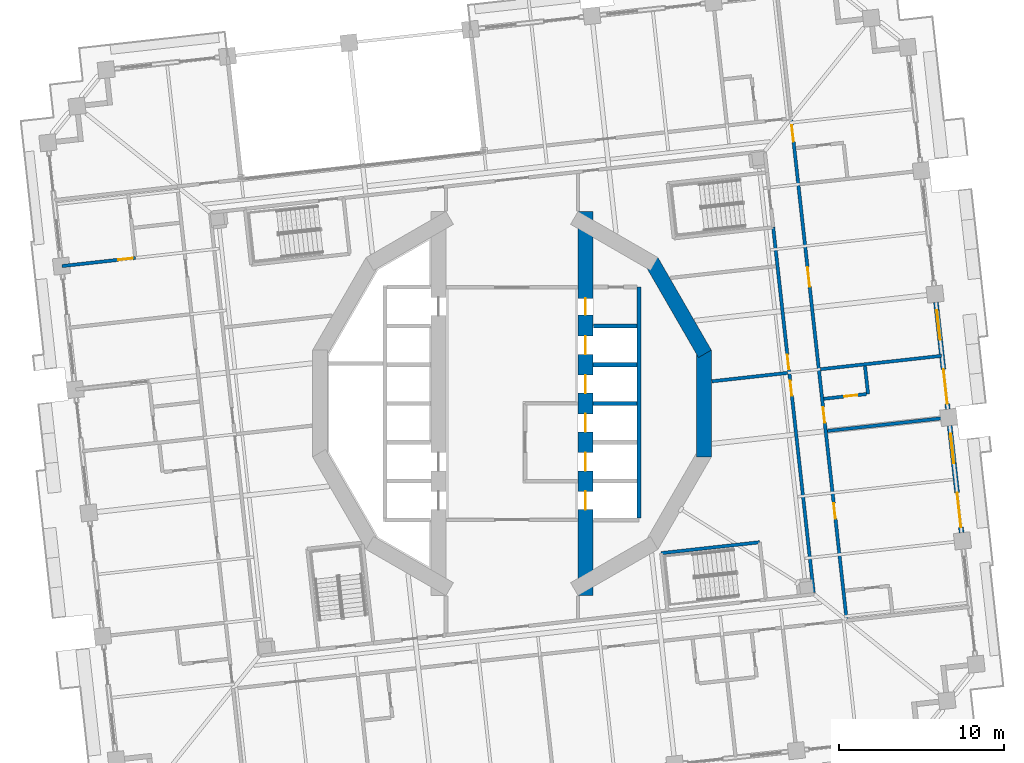
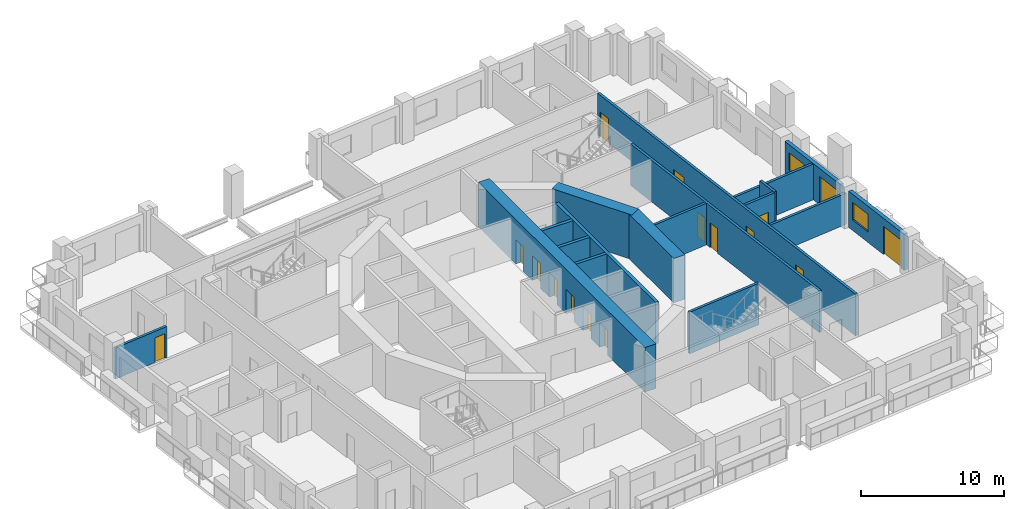
# One storey, part 10 of 21: 18 walls, 16 doors, 2 windows, 18 openings.
"""IFC4 building model written with IfcOpenShell, lengths in metres."""

from ifc_helpers import new_model, si_unit, direction, frame, frame_2d, origin, place, context, subcontext, project, spatial, rectangle, extrude, material, layer, layer_set, type_object, element, fill, save


model = new_model("IFC4")

# Units and contexts
model_context = context("Model", 3, precision=1e-05, world=origin(), true_north=direction((0.0, 1.0)))
body_context = subcontext(model_context, "Body", "Model", "MODEL_VIEW")
ifc_project = project(units=[si_unit("LENGTHUNIT", "METRE"), si_unit("AREAUNIT", "SQUARE_METRE"), si_unit("VOLUMEUNIT", "CUBIC_METRE"), si_unit("PLANEANGLEUNIT", "RADIAN"), si_unit("MASSUNIT", "GRAM", prefix="KILO")], contexts=[model_context])

# Site, building, storey
site_placement = place(None, origin())
site = spatial("IfcSite", under=ifc_project, at=site_placement, CompositionType="ELEMENT")
building_placement = place(site_placement, origin())
building = spatial("IfcBuilding", under=site, at=building_placement, Name="Cantera Rosa Tower", CompositionType="ELEMENT")
storey_placement = place(building_placement, frame((0.0, 0.0, 57.699951171875)))
storey = spatial("IfcBuildingStorey", under=building, at=storey_placement, Name="L11", CompositionType="ELEMENT", Elevation=57.699951171875)

# Wall, openings, doors
ifc_material_1 = material(Name="Gypsum board partition")
ifc_layer_1 = layer(ifc_material_1, 0.199951171875)
ifc_layer_set_1 = layer_set([ifc_layer_1], Name="CORRIDOR WALL 200 H3550")
wall_type_1 = type_object("IfcWallType", Name="CORRIDOR WALL 200 H3550", PredefinedType="PARTITIONING", material=ifc_layer_set_1)
wall_1_placement = place(storey_placement, frame((18.27490234375, -11.453857421875, 0.0), z_axis=(0.0, 0.0, 1.0), x_axis=(-0.110303935969, 0.993897903061, 0.0)))
wall_1 = element("IfcWall", 1, at=wall_1_placement, inside=storey, type_object=wall_type_1, Name="CORRIDOR WALL L11-100", PredefinedType="PARTITIONING", context=body_context, shape_type="SweptSolid", body=[
    extrude(rectangle(XDim=22.26171875, YDim=0.199951171875, at=frame_2d((11.130859375, 0.0))), origin(), (0.0, 0.0, 1.0), 3.550048828125),
])
opening_1_placement = place(wall_1_placement, frame((13.60009765625, 0.0, 0.0)))
opening_1 = element("IfcOpeningElement", 2, at=opening_1_placement, cuts=wall_1, Name="Opening L11-005", PredefinedType="OPENING", context=body_context, shape_type="SweptSolid", body=[
    extrude(rectangle(XDim=0.89990234375, YDim=2.10009765625, at=frame_2d((0.449951171875, 1.050048828125))), frame((0.0, 0.10986328125, 0.0), z_axis=(0.0, -1.0, 0.0), x_axis=(1.0, 0.0, 0.0)), (0.0, 0.0, 1.0), 0.219970703125),
])
opening_2_placement = place(wall_1_placement, frame((12.0048828125, 0.0, 0.0)))
opening_2 = element("IfcOpeningElement", 3, at=opening_2_placement, cuts=wall_1, Name="Opening L11-011", PredefinedType="OPENING", context=body_context, shape_type="SweptSolid", body=[
    extrude(rectangle(XDim=0.89990234375, YDim=2.10009765625, at=frame_2d((0.449951171875, 1.050048828125))), frame((0.0, 0.10986328125, 0.0), z_axis=(0.0, -1.0, 0.0), x_axis=(1.0, 0.0, 0.0)), (0.0, 0.0, 1.0), 0.219970703125),
])
ifc_material_2 = material(Name="Timber door leaf", Category="wood")
door_type_1 = type_object("IfcDoorType", Name="SERVICE DOOR 900x2100", OperationType="NOTDEFINED", PredefinedType="DOOR", material=ifc_material_2)
door_1_placement = place(opening_1_placement, origin())
door_1 = element("IfcDoor", 4, at=door_1_placement, inside=storey, type_object=door_type_1, Name="DOOR L11-005", OperationType="NOTDEFINED", OverallHeight=2.10009765625, OverallWidth=0.89990234375, PredefinedType="DOOR", context=body_context, shape_type="SweptSolid", body=[
    extrude(rectangle(XDim=0.89990234375, YDim=2.10009765625, at=frame_2d((0.449951171875, 1.050048828125))), frame((0.0, 0.02490234375, 0.0), z_axis=(0.0, -1.0, 0.0), x_axis=(1.0, 0.0, 0.0)), (0.0, 0.0, 1.0), 0.050048828125),
])
fill(opening_1, door_1)
door_2_placement = place(opening_2_placement, origin())
door_2 = element("IfcDoor", 5, at=door_2_placement, inside=storey, type_object=door_type_1, Name="DOOR L11-011", OperationType="NOTDEFINED", OverallHeight=2.10009765625, OverallWidth=0.89990234375, PredefinedType="DOOR", context=body_context, shape_type="SweptSolid", body=[
    extrude(rectangle(XDim=0.89990234375, YDim=2.10009765625, at=frame_2d((0.449951171875, 1.050048828125))), frame((0.0, 0.02490234375, 0.0), z_axis=(0.0, -1.0, 0.0), x_axis=(1.0, 0.0, 0.0)), (0.0, 0.0, 1.0), 0.050048828125),
])
fill(opening_2, door_2)

wall_2_placement = place(storey_placement, frame((20.2626953125, -13.04443359375, 0.0), z_axis=(0.0, 0.0, 1.0), x_axis=(-0.110312530755, 0.993896949164, 0.0)))
wall_2 = element("IfcWall", 6, at=wall_2_placement, inside=storey, type_object=wall_type_1, Name="CORRIDOR WALL L11-105", PredefinedType="PARTITIONING", context=body_context, shape_type="SweptSolid", body=[
    extrude(rectangle(XDim=30.400146484375, YDim=0.199951171875, at=frame_2d((15.2001953125, 0.0))), origin(), (0.0, 0.0, 1.0), 3.550048828125),
])
opening_3_placement = place(wall_2_placement, frame((20.239990234375, 0.0, 0.0)))
opening_3 = element("IfcOpeningElement", 7, at=opening_3_placement, cuts=wall_2, Name="Opening L11-018", PredefinedType="OPENING", context=body_context, shape_type="SweptSolid", body=[
    extrude(rectangle(XDim=1.199951171875, YDim=2.10009765625, at=frame_2d((0.60009765625, 1.050048828125))), frame((0.0, 0.10986328125, 0.0), z_axis=(0.0, -1.0, 0.0), x_axis=(1.0, 0.0, 0.0)), (0.0, 0.0, 1.0), 0.219970703125),
])
opening_4_placement = place(wall_2_placement, frame((6.094970703125, 0.0, 0.0)))
opening_4 = element("IfcOpeningElement", 8, at=opening_4_placement, cuts=wall_2, Name="Opening L11-019", PredefinedType="OPENING", context=body_context, shape_type="SweptSolid", body=[
    extrude(rectangle(XDim=0.949951171875, YDim=2.10009765625, at=frame_2d((0.47509765625, 1.050048828125))), frame((0.0, 0.10986328125, 0.0), z_axis=(0.0, -1.0, 0.0), x_axis=(1.0, 0.0, 0.0)), (0.0, 0.0, 1.0), 0.219970703125),
])
opening_5_placement = place(wall_2_placement, frame((11.945068359375, 0.0, 0.0)))
opening_5 = element("IfcOpeningElement", 9, at=opening_5_placement, cuts=wall_2, Name="Opening L11-021", PredefinedType="OPENING", context=body_context, shape_type="SweptSolid", body=[
    extrude(rectangle(XDim=0.949951171875, YDim=2.10009765625, at=frame_2d((0.47509765625, 1.050048828125))), frame((0.0, 0.10986328125, 0.0), z_axis=(0.0, -1.0, 0.0), x_axis=(1.0, 0.0, 0.0)), (0.0, 0.0, 1.0), 0.219970703125),
])
opening_6_placement = place(wall_2_placement, frame((29.090087890625, 0.0, 0.0)))
opening_6 = element("IfcOpeningElement", 10, at=opening_6_placement, cuts=wall_2, Name="Opening L11-023", PredefinedType="OPENING", context=body_context, shape_type="SweptSolid", body=[
    extrude(rectangle(XDim=1.0, YDim=2.10009765625, at=frame_2d((0.5, 1.050048828125))), frame((0.0, 0.10986328125, 0.0), z_axis=(0.0, -1.0, 0.0), x_axis=(1.0, 0.0, 0.0)), (0.0, 0.0, 1.0), 0.219970703125),
])
ifc_material_3 = material(Name="Timber door leaf", Category="wood")
door_type_2 = type_object("IfcDoorType", Name="ENTRANCE DOOR 1000x2100", OperationType="NOTDEFINED", PredefinedType="DOOR", material=ifc_material_3)
door_3_placement = place(opening_6_placement, origin())
door_3 = element("IfcDoor", 11, at=door_3_placement, inside=storey, type_object=door_type_2, Name="DOOR L11-023", OperationType="NOTDEFINED", OverallHeight=2.10009765625, OverallWidth=1.0, PredefinedType="DOOR", context=body_context, shape_type="SweptSolid", body=[
    extrude(rectangle(XDim=1.0, YDim=2.10009765625, at=frame_2d((0.5, 1.050048828125))), frame((0.0, 0.02490234375, 0.0), z_axis=(0.0, -1.0, 0.0), x_axis=(1.0, 0.0, 0.0)), (0.0, 0.0, 1.0), 0.050048828125),
])
fill(opening_6, door_3)
ifc_material_4 = material(Name="Timber door leaf", Category="wood")
door_type_3 = type_object("IfcDoorType", Name="ROOM DOOR 1200x2100", OperationType="NOTDEFINED", PredefinedType="DOOR", material=ifc_material_4)
door_4_placement = place(opening_3_placement, origin())
door_4 = element("IfcDoor", 12, at=door_4_placement, inside=storey, type_object=door_type_3, Name="DOOR L11-018", OperationType="NOTDEFINED", OverallHeight=2.10009765625, OverallWidth=1.199951171875, PredefinedType="DOOR", context=body_context, shape_type="SweptSolid", body=[
    extrude(rectangle(XDim=1.199951171875, YDim=2.10009765625, at=frame_2d((0.60009765625, 1.050048828125))), frame((0.0, 0.02490234375, 0.0), z_axis=(0.0, -1.0, 0.0), x_axis=(1.0, 0.0, 0.0)), (0.0, 0.0, 1.0), 0.050048828125),
])
fill(opening_3, door_4)
ifc_material_5 = material(Name="Timber door leaf", Category="wood")
door_type_4 = type_object("IfcDoorType", Name="ROOM DOOR 950x2100", OperationType="NOTDEFINED", PredefinedType="DOOR", material=ifc_material_5)
door_5_placement = place(opening_4_placement, origin())
door_5 = element("IfcDoor", 13, at=door_5_placement, inside=storey, type_object=door_type_4, Name="DOOR L11-019", OperationType="NOTDEFINED", OverallHeight=2.10009765625, OverallWidth=0.949951171875, PredefinedType="DOOR", context=body_context, shape_type="SweptSolid", body=[
    extrude(rectangle(XDim=0.949951171875, YDim=2.10009765625, at=frame_2d((0.47509765625, 1.050048828125))), frame((0.0, 0.02490234375, 0.0), z_axis=(0.0, -1.0, 0.0), x_axis=(1.0, 0.0, 0.0)), (0.0, 0.0, 1.0), 0.050048828125),
])
fill(opening_4, door_5)
door_6_placement = place(opening_5_placement, origin())
door_6 = element("IfcDoor", 14, at=door_6_placement, inside=storey, type_object=door_type_4, Name="DOOR L11-021", OperationType="NOTDEFINED", OverallHeight=2.10009765625, OverallWidth=0.949951171875, PredefinedType="DOOR", context=body_context, shape_type="SweptSolid", body=[
    extrude(rectangle(XDim=0.949951171875, YDim=2.10009765625, at=frame_2d((0.47509765625, 1.050048828125))), frame((0.0, 0.02490234375, 0.0), z_axis=(0.0, -1.0, 0.0), x_axis=(1.0, 0.0, 0.0)), (0.0, 0.0, 1.0), 0.050048828125),
])
fill(opening_5, door_6)

# Wall, openings, window, door
ifc_material_6 = material(Name="Hollow clay masonry with cantera stone cladding", Category="masonry")
ifc_layer_2 = layer(ifc_material_6, 0.300048828125)
ifc_layer_set_2 = layer_set([ifc_layer_2], Name="EW-LOGGIA 300 H3090")
wall_type_2 = type_object("IfcWallType", Name="EW-LOGGIA 300 H3090", PredefinedType="SOLIDWALL", material=ifc_layer_set_2)
wall_3_placement = place(storey_placement, frame((27.229248046875, -7.823974609375, 0.0), z_axis=(0.0, 0.0, 1.0), x_axis=(-0.110312341265, 0.993896970196, 0.0)))
wall_3 = element("IfcWall", 15, at=wall_3_placement, inside=storey, type_object=wall_type_2, Name="EN-L11-W02", PredefinedType="SOLIDWALL", context=body_context, shape_type="SweptSolid", body=[
    extrude(rectangle(XDim=6.52001953125, YDim=0.300048828125, at=frame_2d((3.260009765625, 0.0))), origin(), (0.0, 0.0, 1.0), 3.090087890625),
])
opening_7_placement = place(wall_3_placement, frame((0.330078125, 0.0, 0.0)))
opening_7 = element("IfcOpeningElement", 16, at=opening_7_placement, cuts=wall_3, Name="Opening L11-TD03", PredefinedType="OPENING", context=body_context, shape_type="SweptSolid", body=[
    extrude(rectangle(XDim=2.10009765625, YDim=2.39990234375, at=frame_2d((1.050048828125, 1.199951171875))), frame((0.0, 0.159912109375, 0.0), z_axis=(0.0, -1.0, 0.0), x_axis=(1.0, 0.0, 0.0)), (0.0, 0.0, 1.0), 0.320068359375),
])
opening_8_placement = place(wall_3_placement, frame((4.239990234375, 0.0, 0.89990234375)))
opening_8 = element("IfcOpeningElement", 17, at=opening_8_placement, cuts=wall_3, Name="Opening L11-W04", PredefinedType="OPENING", context=body_context, shape_type="SweptSolid", body=[
    extrude(rectangle(XDim=1.800048828125, YDim=1.5, at=frame_2d((0.89990234375, 0.75))), frame((0.0, 0.159912109375, 0.0), z_axis=(0.0, -1.0, 0.0), x_axis=(1.0, 0.0, 0.0)), (0.0, 0.0, 1.0), 0.320068359375),
])
ifc_material_7 = material(Name="Aluminium frame with clear glass", Category="aluminium")
window_type = type_object("IfcWindowType", Name="Hotel room window 1800x1500", PartitioningType="DOUBLE_PANEL_VERTICAL", PredefinedType="WINDOW", material=ifc_material_7)
window_1_placement = place(opening_8_placement, origin())
window_1 = element("IfcWindow", 18, at=window_1_placement, inside=storey, type_object=window_type, Name="WINDOW L11-W04", OverallHeight=1.5, OverallWidth=1.800048828125, PartitioningType="SINGLE_PANEL", PredefinedType="WINDOW", context=body_context, shape_type="SweptSolid", body=[
    extrude(rectangle(XDim=1.800048828125, YDim=1.5, at=frame_2d((0.89990234375, 0.75))), frame((0.0, 0.030029296875, 0.0), z_axis=(0.0, -1.0, 0.0), x_axis=(1.0, 0.0, 0.0)), (0.0, 0.0, 1.0), 0.06005859375),
])
fill(opening_8, window_1)
ifc_material_8 = material(Name="Aluminium frame with clear glass", Category="aluminium")
door_type_5 = type_object("IfcDoorType", Name="TD-H 2100x2400", OperationType="NOTDEFINED", PredefinedType="DOOR", material=ifc_material_8)
door_7_placement = place(opening_7_placement, origin())
door_7 = element("IfcDoor", 19, at=door_7_placement, inside=storey, type_object=door_type_5, Name="LOGGIA DOOR L11-TD03", OperationType="SLIDING_TO_LEFT", OverallHeight=2.39990234375, OverallWidth=2.10009765625, PredefinedType="DOOR", context=body_context, shape_type="SweptSolid", body=[
    extrude(rectangle(XDim=2.10009765625, YDim=2.39990234375, at=frame_2d((1.050048828125, 1.199951171875))), frame((0.0, 0.02490234375, 0.0), z_axis=(0.0, -1.0, 0.0), x_axis=(1.0, 0.0, 0.0)), (0.0, 0.0, 1.0), 0.050048828125),
])
fill(opening_7, door_7)

wall_4_placement = place(storey_placement, frame((26.399658203125, -0.349853515625, 0.0), z_axis=(0.0, 0.0, 1.0), x_axis=(-0.110312341265, 0.993896970196, 0.0)))
wall_4 = element("IfcWall", 20, at=wall_4_placement, inside=storey, type_object=wall_type_2, Name="EN-L11-W03", PredefinedType="SOLIDWALL", context=body_context, shape_type="SweptSolid", body=[
    extrude(rectangle(XDim=6.52001953125, YDim=0.300048828125, at=frame_2d((3.260009765625, 0.0))), origin(), (0.0, 0.0, 1.0), 3.090087890625),
])
opening_9_placement = place(wall_4_placement, frame((0.330078125, 0.0, 0.0)))
opening_9 = element("IfcOpeningElement", 21, at=opening_9_placement, cuts=wall_4, Name="Opening L11-TD05", PredefinedType="OPENING", context=body_context, shape_type="SweptSolid", body=[
    extrude(rectangle(XDim=2.10009765625, YDim=2.39990234375, at=frame_2d((1.050048828125, 1.199951171875))), frame((0.0, 0.159912109375, 0.0), z_axis=(0.0, -1.0, 0.0), x_axis=(1.0, 0.0, 0.0)), (0.0, 0.0, 1.0), 0.320068359375),
])
opening_10_placement = place(wall_4_placement, frame((4.239990234375, 0.0, 0.89990234375)))
opening_10 = element("IfcOpeningElement", 22, at=opening_10_placement, cuts=wall_4, Name="Opening L11-W06", PredefinedType="OPENING", context=body_context, shape_type="SweptSolid", body=[
    extrude(rectangle(XDim=1.800048828125, YDim=1.5, at=frame_2d((0.89990234375, 0.75))), frame((0.0, 0.159912109375, 0.0), z_axis=(0.0, -1.0, 0.0), x_axis=(1.0, 0.0, 0.0)), (0.0, 0.0, 1.0), 0.320068359375),
])
window_2_placement = place(opening_10_placement, origin())
window_2 = element("IfcWindow", 23, at=window_2_placement, inside=storey, type_object=window_type, Name="WINDOW L11-W06", OverallHeight=1.5, OverallWidth=1.800048828125, PartitioningType="SINGLE_PANEL", PredefinedType="WINDOW", context=body_context, shape_type="SweptSolid", body=[
    extrude(rectangle(XDim=1.800048828125, YDim=1.5, at=frame_2d((0.89990234375, 0.75))), frame((0.0, 0.030029296875, 0.0), z_axis=(0.0, -1.0, 0.0), x_axis=(1.0, 0.0, 0.0)), (0.0, 0.0, 1.0), 0.06005859375),
])
fill(opening_10, window_2)
door_8_placement = place(opening_9_placement, origin())
door_8 = element("IfcDoor", 24, at=door_8_placement, inside=storey, type_object=door_type_5, Name="LOGGIA DOOR L11-TD05", OperationType="SLIDING_TO_LEFT", OverallHeight=2.39990234375, OverallWidth=2.10009765625, PredefinedType="DOOR", context=body_context, shape_type="SweptSolid", body=[
    extrude(rectangle(XDim=2.10009765625, YDim=2.39990234375, at=frame_2d((1.050048828125, 1.199951171875))), frame((0.0, 0.02490234375, 0.0), z_axis=(0.0, -1.0, 0.0), x_axis=(1.0, 0.0, 0.0)), (0.0, 0.0, 1.0), 0.050048828125),
])
fill(opening_9, door_8)

# Wall, opening, door
ifc_material_9 = material(Name="Gypsum board partition")
ifc_layer_3 = layer(ifc_material_9, 0.199951171875)
ifc_layer_set_3 = layer_set([ifc_layer_3], Name="PARTITION 200 H2650")
wall_type_3 = type_object("IfcWallType", Name="PARTITION 200 H2650", PredefinedType="PARTITIONING", material=ifc_layer_set_3)
wall_5_placement = place(storey_placement, frame((-22.81201171875, 8.8173828125, 0.0), z_axis=(0.0, 0.0, 1.0), x_axis=(-0.993895052822, -0.11032961514, 0.0)))
wall_5 = element("IfcWall", 25, at=wall_5_placement, inside=storey, type_object=wall_type_3, Name="PARTITION L11-003", PredefinedType="PARTITIONING", context=body_context, shape_type="SweptSolid", body=[
    extrude(rectangle(XDim=4.469970703125, YDim=0.199951171875, at=frame_2d((2.23486328125, 0.0))), origin(), (0.0, 0.0, 1.0), 2.650146484375),
])
opening_11_placement = place(wall_5_placement, frame((0.14990234375, 0.0, 0.0)))
opening_11 = element("IfcOpeningElement", 26, at=opening_11_placement, cuts=wall_5, Name="Opening L11-030", PredefinedType="OPENING", context=body_context, shape_type="SweptSolid", body=[
    extrude(rectangle(XDim=0.89990234375, YDim=2.10009765625, at=frame_2d((0.449951171875, 1.050048828125))), frame((0.0, 0.10986328125, 0.0), z_axis=(0.0, -1.0, 0.0), x_axis=(1.0, 0.0, 0.0)), (0.0, 0.0, 1.0), 0.219970703125),
])
ifc_material_10 = material(Name="Timber door leaf", Category="wood")
door_type_6 = type_object("IfcDoorType", Name="ROOM DOOR 900x2100", OperationType="NOTDEFINED", PredefinedType="DOOR", material=ifc_material_10)
door_9_placement = place(opening_11_placement, origin())
door_9 = element("IfcDoor", 27, at=door_9_placement, inside=storey, type_object=door_type_6, Name="DOOR L11-030", OperationType="NOTDEFINED", OverallHeight=2.10009765625, OverallWidth=0.89990234375, PredefinedType="DOOR", context=body_context, shape_type="SweptSolid", body=[
    extrude(rectangle(XDim=0.89990234375, YDim=2.10009765625, at=frame_2d((0.449951171875, 1.050048828125))), frame((0.0, 0.02490234375, 0.0), z_axis=(0.0, -1.0, 0.0), x_axis=(1.0, 0.0, 0.0)), (0.0, 0.0, 1.0), 0.050048828125),
])
fill(opening_11, door_9)

# Walls
ifc_material_11 = material(Name="Gypsum board partition")
ifc_layer_4 = layer(ifc_material_11, 0.199951171875)
ifc_layer_set_4 = layer_set([ifc_layer_4], Name="PARTITION 200 H3550")
wall_type_4 = type_object("IfcWallType", Name="PARTITION 200 H3550", PredefinedType="PARTITIONING", material=ifc_layer_set_4)
wall_6_placement = place(storey_placement, frame((16.697509765625, 1.853271484375, 0.0), z_axis=(0.0, 0.0, 1.0), x_axis=(-0.993898542439, -0.11029817468, 0.0)))
element("IfcWall", 28, at=wall_6_placement, inside=storey, type_object=wall_type_4, Name="PARTITION L11-091", PredefinedType="PARTITIONING", context=body_context, shape_type="SweptSolid", body=[
    extrude(rectangle(XDim=4.621826171875, YDim=0.199951171875, at=frame_2d((2.31103515625, 0.0))), origin(), (0.0, 0.0, 1.0), 3.550048828125),
])
wall_7_placement = place(storey_placement, frame((21.3798828125, 2.272216796875, 0.0), z_axis=(0.0, 0.0, 1.0), x_axis=(0.110305413813, -0.993897739047, 0.0)))
element("IfcWall", 29, at=wall_7_placement, inside=storey, type_object=wall_type_4, Name="PARTITION L11-106", PredefinedType="PARTITIONING", context=body_context, shape_type="SweptSolid", body=[
    extrude(rectangle(XDim=1.69970703125, YDim=0.199951171875, at=frame_2d((0.849853515625, 0.0))), origin(), (0.0, 0.0, 1.0), 3.550048828125),
])

# Wall, opening, door
wall_8_placement = place(storey_placement, frame((21.468017578125, 0.57177734375, 0.0), z_axis=(0.0, 0.0, 1.0), x_axis=(-0.993895180132, -0.110328468272, 0.0)))
wall_8 = element("IfcWall", 30, at=wall_8_placement, inside=storey, type_object=wall_type_4, Name="PARTITION L11-107", PredefinedType="PARTITIONING", context=body_context, shape_type="SweptSolid", body=[
    extrude(rectangle(XDim=2.60009765625, YDim=0.199951171875, at=frame_2d((1.300048828125, 0.0))), origin(), (0.0, 0.0, 1.0), 3.550048828125),
])
opening_12_placement = place(wall_8_placement, frame((0.56396484375, 0.0, 0.0)))
opening_12 = element("IfcOpeningElement", 31, at=opening_12_placement, cuts=wall_8, Name="Opening L11-022", PredefinedType="OPENING", context=body_context, shape_type="SweptSolid", body=[
    extrude(rectangle(XDim=0.800048828125, YDim=2.10009765625, at=frame_2d((0.39990234375, 1.050048828125))), frame((0.0, 0.10986328125, 0.0), z_axis=(0.0, -1.0, 0.0), x_axis=(1.0, 0.0, 0.0)), (0.0, 0.0, 1.0), 0.219970703125),
])
ifc_material_12 = material(Name="Timber door leaf", Category="wood")
door_type_7 = type_object("IfcDoorType", Name="BATHROOM DOOR 800x2100", OperationType="NOTDEFINED", PredefinedType="DOOR", material=ifc_material_12)
door_10_placement = place(opening_12_placement, origin())
door_10 = element("IfcDoor", 32, at=door_10_placement, inside=storey, type_object=door_type_7, Name="DOOR L11-022", OperationType="NOTDEFINED", OverallHeight=2.10009765625, OverallWidth=0.800048828125, PredefinedType="DOOR", context=body_context, shape_type="SweptSolid", body=[
    extrude(rectangle(XDim=0.800048828125, YDim=2.10009765625, at=frame_2d((0.39990234375, 1.050048828125))), frame((0.0, 0.02490234375, 0.0), z_axis=(0.0, -1.0, 0.0), x_axis=(1.0, 0.0, 0.0)), (0.0, 0.0, 1.0), 0.050048828125),
])
fill(opening_12, door_10)

# Walls
ifc_material_13 = material(Name="Gypsum board partition")
ifc_layer_5 = layer(ifc_material_13, 0.199951171875)
ifc_layer_set_5 = layer_set([ifc_layer_5], Name="PARTY WALL 200 H2650")
wall_type_5 = type_object("IfcWallType", Name="PARTY WALL 200 H2650", PredefinedType="PARTITIONING", material=ifc_layer_set_5)
wall_9_placement = place(storey_placement, frame((19.10009765625, -1.6630859375, 0.0), z_axis=(0.0, 0.0, 1.0), x_axis=(0.993897058864, 0.11031154238, 0.0)))
element("IfcWall", 33, at=wall_9_placement, inside=storey, type_object=wall_type_5, Name="PARTY WALL L11-102", PredefinedType="PARTITIONING", context=body_context, shape_type="SweptSolid", body=[
    extrude(rectangle(XDim=7.369873046875, YDim=0.199951171875, at=frame_2d((3.68505859375, 0.0))), origin(), (0.0, 0.0, 1.0), 2.650146484375),
])
ifc_material_14 = material(Name="Gypsum board partition")
ifc_layer_6 = layer(ifc_material_14, 0.199951171875)
ifc_layer_set_6 = layer_set([ifc_layer_6], Name="PARTY WALL 200 H3050")
wall_type_6 = type_object("IfcWallType", Name="PARTY WALL 200 H3050", PredefinedType="PARTITIONING", material=ifc_layer_set_6)
wall_10_placement = place(storey_placement, frame((18.685302734375, 2.073974609375, 0.0), z_axis=(0.0, 0.0, 1.0), x_axis=(0.993897058864, 0.11031154238, 0.0)))
element("IfcWall", 34, at=wall_10_placement, inside=storey, type_object=wall_type_6, Name="PARTY WALL L11-101", PredefinedType="PARTITIONING", context=body_context, shape_type="SweptSolid", body=[
    extrude(rectangle(XDim=7.369873046875, YDim=0.199951171875, at=frame_2d((3.68505859375, 0.0))), origin(), (0.0, 0.0, 1.0), 3.050048828125),
])
ifc_material_15 = material(Name="Concrete C70/85", Category="concrete")
ifc_layer_7 = layer(ifc_material_15, 0.89990234375)
ifc_layer_set_7 = layer_set([ifc_layer_7], Name="RC CORE WALL 900 C70/85")
wall_type_7 = type_object("IfcWallType", Name="RC CORE WALL 900 C70/85", PredefinedType="SHEAR", material=ifc_layer_set_7)
wall_11_placement = place(storey_placement, frame((8.44921875, 8.61376953125, 0.0), z_axis=(0.0, 0.0, 1.0), x_axis=(0.499990282633, -0.866031014036, 0.0)))
element("IfcWall", 35, at=wall_11_placement, inside=storey, type_object=wall_type_7, Name="CW-E2 L11", PredefinedType="SHEAR", context=body_context, shape_type="SweptSolid", body=[
    extrude(rectangle(XDim=6.470458984375, YDim=0.89990234375, at=frame_2d((3.2353515625, 0.0))), origin(), (0.0, 0.0, 1.0), 3.800048828125),
])
wall_12_placement = place(storey_placement, frame((11.6240234375, 3.2353515625, 0.0), z_axis=(0.0, 0.0, 1.0), x_axis=(0.0, -1.0, 0.0)))
element("IfcWall", 36, at=wall_12_placement, inside=storey, type_object=wall_type_7, Name="CW-E3 L11", PredefinedType="SHEAR", context=body_context, shape_type="SweptSolid", body=[
    extrude(rectangle(XDim=6.470703125, YDim=0.89990234375, at=frame_2d((3.2353515625, 0.0))), origin(), (0.0, 0.0, 1.0), 3.800048828125),
])

# Wall, openings, doors
wall_13_placement = place(storey_placement, frame((4.449951171875, -11.632568359375, 0.0), z_axis=(0.0, 0.0, 1.0), x_axis=(0.0, 1.0, 0.0)))
wall_13 = element("IfcWall", 37, at=wall_13_placement, inside=storey, type_object=wall_type_7, Name="CW-E6 L11", PredefinedType="SHEAR", context=body_context, shape_type="SweptSolid", body=[
    extrude(rectangle(XDim=23.26513671875, YDim=0.89990234375, at=frame_2d((11.632568359375, 0.0))), origin(), (0.0, 0.0, 1.0), 3.800048828125),
])
opening_13_placement = place(wall_13_placement, frame((7.5576171875, 0.0, 0.0)))
opening_13 = element("IfcOpeningElement", 38, at=opening_13_placement, cuts=wall_13, Name="Opening LD-FF1-L11", PredefinedType="OPENING", context=body_context, shape_type="SweptSolid", body=[
    extrude(rectangle(XDim=1.10009765625, YDim=2.10009765625, at=frame_2d((0.550048828125, 1.050048828125))), frame((0.0, 0.4599609375, 0.0), z_axis=(0.0, -1.0, 0.0), x_axis=(1.0, 0.0, 0.0)), (0.0, 0.0, 1.0), 0.919921875),
])
opening_14_placement = place(wall_13_placement, frame((9.907470703125, 0.0, 0.0)))
opening_14 = element("IfcOpeningElement", 39, at=opening_14_placement, cuts=wall_13, Name="Opening LD-FF2-L11", PredefinedType="OPENING", context=body_context, shape_type="SweptSolid", body=[
    extrude(rectangle(XDim=1.10009765625, YDim=2.10009765625, at=frame_2d((0.550048828125, 1.050048828125))), frame((0.0, 0.4599609375, 0.0), z_axis=(0.0, -1.0, 0.0), x_axis=(1.0, 0.0, 0.0)), (0.0, 0.0, 1.0), 0.919921875),
])
opening_15_placement = place(wall_13_placement, frame((12.257568359375, 0.0, 0.0)))
opening_15 = element("IfcOpeningElement", 40, at=opening_15_placement, cuts=wall_13, Name="Opening LD-P1-L11", PredefinedType="OPENING", context=body_context, shape_type="SweptSolid", body=[
    extrude(rectangle(XDim=1.10009765625, YDim=2.10009765625, at=frame_2d((0.550048828125, 1.050048828125))), frame((0.0, 0.4599609375, 0.0), z_axis=(0.0, -1.0, 0.0), x_axis=(1.0, 0.0, 0.0)), (0.0, 0.0, 1.0), 0.919921875),
])
opening_16_placement = place(wall_13_placement, frame((14.607421875, 0.0, 0.0)))
opening_16 = element("IfcOpeningElement", 41, at=opening_16_placement, cuts=wall_13, Name="Opening LD-P2-L11", PredefinedType="OPENING", context=body_context, shape_type="SweptSolid", body=[
    extrude(rectangle(XDim=1.10009765625, YDim=2.10009765625, at=frame_2d((0.550048828125, 1.050048828125))), frame((0.0, 0.4599609375, 0.0), z_axis=(0.0, -1.0, 0.0), x_axis=(1.0, 0.0, 0.0)), (0.0, 0.0, 1.0), 0.919921875),
])
opening_17_placement = place(wall_13_placement, frame((5.20751953125, 0.0, 0.0)))
opening_17 = element("IfcOpeningElement", 42, at=opening_17_placement, cuts=wall_13, Name="Opening LD-P6-L11", PredefinedType="OPENING", context=body_context, shape_type="SweptSolid", body=[
    extrude(rectangle(XDim=1.10009765625, YDim=2.10009765625, at=frame_2d((0.550048828125, 1.050048828125))), frame((0.0, 0.4599609375, 0.0), z_axis=(0.0, -1.0, 0.0), x_axis=(1.0, 0.0, 0.0)), (0.0, 0.0, 1.0), 0.919921875),
])
opening_18_placement = place(wall_13_placement, frame((17.007568359375, 0.0, 0.0)))
opening_18 = element("IfcOpeningElement", 43, at=opening_18_placement, cuts=wall_13, Name="Opening SD-L11-17", PredefinedType="OPENING", context=body_context, shape_type="SweptSolid", body=[
    extrude(rectangle(XDim=1.0, YDim=2.10009765625, at=frame_2d((0.5, 1.050048828125))), frame((0.0, 0.4599609375, 0.0), z_axis=(0.0, -1.0, 0.0), x_axis=(1.0, 0.0, 0.0)), (0.0, 0.0, 1.0), 0.919921875),
])
ifc_material_16 = material(Name="Steel S355J2 (EN 10025-2)", Category="steel")
door_type_8 = type_object("IfcDoorType", Name="LANDING DOOR 1100x2100", OperationType="NOTDEFINED", PredefinedType="DOOR", material=ifc_material_16)
door_11_placement = place(opening_13_placement, origin())
door_11 = element("IfcDoor", 44, at=door_11_placement, inside=storey, type_object=door_type_8, Name="LANDING DOOR FF1 L11", OperationType="SLIDING_TO_LEFT", OverallHeight=2.10009765625, OverallWidth=1.10009765625, PredefinedType="DOOR", context=body_context, shape_type="SweptSolid", body=[
    extrude(rectangle(XDim=1.10009765625, YDim=2.10009765625, at=frame_2d((0.550048828125, 1.050048828125))), frame((0.0, 0.02490234375, 0.0), z_axis=(0.0, -1.0, 0.0), x_axis=(1.0, 0.0, 0.0)), (0.0, 0.0, 1.0), 0.050048828125),
])
fill(opening_13, door_11)
door_12_placement = place(opening_14_placement, origin())
door_12 = element("IfcDoor", 45, at=door_12_placement, inside=storey, type_object=door_type_8, Name="LANDING DOOR FF2 L11", OperationType="SLIDING_TO_LEFT", OverallHeight=2.10009765625, OverallWidth=1.10009765625, PredefinedType="DOOR", context=body_context, shape_type="SweptSolid", body=[
    extrude(rectangle(XDim=1.10009765625, YDim=2.10009765625, at=frame_2d((0.550048828125, 1.050048828125))), frame((0.0, 0.02490234375, 0.0), z_axis=(0.0, -1.0, 0.0), x_axis=(1.0, 0.0, 0.0)), (0.0, 0.0, 1.0), 0.050048828125),
])
fill(opening_14, door_12)
door_13_placement = place(opening_15_placement, origin())
door_13 = element("IfcDoor", 46, at=door_13_placement, inside=storey, type_object=door_type_8, Name="LANDING DOOR P1 L11", OperationType="SLIDING_TO_LEFT", OverallHeight=2.10009765625, OverallWidth=1.10009765625, PredefinedType="DOOR", context=body_context, shape_type="SweptSolid", body=[
    extrude(rectangle(XDim=1.10009765625, YDim=2.10009765625, at=frame_2d((0.550048828125, 1.050048828125))), frame((0.0, 0.02490234375, 0.0), z_axis=(0.0, -1.0, 0.0), x_axis=(1.0, 0.0, 0.0)), (0.0, 0.0, 1.0), 0.050048828125),
])
fill(opening_15, door_13)
door_14_placement = place(opening_16_placement, origin())
door_14 = element("IfcDoor", 47, at=door_14_placement, inside=storey, type_object=door_type_8, Name="LANDING DOOR P2 L11", OperationType="SLIDING_TO_LEFT", OverallHeight=2.10009765625, OverallWidth=1.10009765625, PredefinedType="DOOR", context=body_context, shape_type="SweptSolid", body=[
    extrude(rectangle(XDim=1.10009765625, YDim=2.10009765625, at=frame_2d((0.550048828125, 1.050048828125))), frame((0.0, 0.02490234375, 0.0), z_axis=(0.0, -1.0, 0.0), x_axis=(1.0, 0.0, 0.0)), (0.0, 0.0, 1.0), 0.050048828125),
])
fill(opening_16, door_14)
door_15_placement = place(opening_17_placement, origin())
door_15 = element("IfcDoor", 48, at=door_15_placement, inside=storey, type_object=door_type_8, Name="LANDING DOOR P6 L11", OperationType="SLIDING_TO_LEFT", OverallHeight=2.10009765625, OverallWidth=1.10009765625, PredefinedType="DOOR", context=body_context, shape_type="SweptSolid", body=[
    extrude(rectangle(XDim=1.10009765625, YDim=2.10009765625, at=frame_2d((0.550048828125, 1.050048828125))), frame((0.0, 0.02490234375, 0.0), z_axis=(0.0, -1.0, 0.0), x_axis=(1.0, 0.0, 0.0)), (0.0, 0.0, 1.0), 0.050048828125),
])
fill(opening_17, door_15)
ifc_material_17 = material(Name="Timber door leaf", Category="wood")
door_type_9 = type_object("IfcDoorType", Name="SERVICE DOOR 1000x2100", OperationType="NOTDEFINED", PredefinedType="DOOR", material=ifc_material_17)
door_16_placement = place(opening_18_placement, origin())
door_16 = element("IfcDoor", 49, at=door_16_placement, inside=storey, type_object=door_type_9, Name="DOOR L11-SD17", OperationType="NOTDEFINED", OverallHeight=2.10009765625, OverallWidth=1.0, PredefinedType="DOOR", context=body_context, shape_type="SweptSolid", body=[
    extrude(rectangle(XDim=1.0, YDim=2.10009765625, at=frame_2d((0.5, 1.050048828125))), frame((0.0, 0.02490234375, 0.0), z_axis=(0.0, -1.0, 0.0), x_axis=(1.0, 0.0, 0.0)), (0.0, 0.0, 1.0), 0.050048828125),
])
fill(opening_18, door_16)

# Walls
ifc_material_18 = material(Name="Masonry blockwork", Category="masonry")
ifc_layer_8 = layer(ifc_material_18, 0.25)
ifc_layer_set_8 = layer_set([ifc_layer_8], Name="SHAFT WALL 250 H3550")
wall_type_8 = type_object("IfcWallType", Name="SHAFT WALL 250 H3550", PredefinedType="SOLIDWALL", material=ifc_layer_set_8)
wall_14_placement = place(storey_placement, frame((4.89990234375, 0.0, 0.0), z_axis=(0.0, 0.0, 1.0), x_axis=(1.0, 0.0, 0.0)))
element("IfcWall", 50, at=wall_14_placement, inside=storey, type_object=wall_type_8, Name="SHAFT WALL L11-062", PredefinedType="SOLIDWALL", context=body_context, shape_type="SweptSolid", body=[
    extrude(rectangle(XDim=2.675048828125, YDim=0.25, at=frame_2d((1.33740234375, 0.0))), origin(), (0.0, 0.0, 1.0), 3.550048828125),
])
wall_15_placement = place(storey_placement, frame((7.699951171875, -6.929931640625, 0.0), z_axis=(0.0, 0.0, 1.0), x_axis=(0.0, 1.0, 0.0)))
element("IfcWall", 51, at=wall_15_placement, inside=storey, type_object=wall_type_8, Name="SHAFT WALL L11-064", PredefinedType="SOLIDWALL", context=body_context, shape_type="SweptSolid", body=[
    extrude(rectangle(XDim=13.97998046875, YDim=0.25, at=frame_2d((6.989990234375, 0.0))), origin(), (0.0, 0.0, 1.0), 3.550048828125),
])
wall_16_placement = place(storey_placement, frame((7.574951171875, 2.35009765625, 0.0), z_axis=(0.0, 0.0, 1.0), x_axis=(-1.0, 0.0, 0.0)))
element("IfcWall", 52, at=wall_16_placement, inside=storey, type_object=wall_type_8, Name="SHAFT WALL L11-066", PredefinedType="SOLIDWALL", context=body_context, shape_type="SweptSolid", body=[
    extrude(rectangle(XDim=2.675048828125, YDim=0.25, at=frame_2d((1.33740234375, 0.0))), origin(), (0.0, 0.0, 1.0), 3.550048828125),
])
wall_17_placement = place(storey_placement, frame((7.574951171875, 4.699951171875, 0.0), z_axis=(0.0, 0.0, 1.0), x_axis=(-1.0, 0.0, 0.0)))
element("IfcWall", 53, at=wall_17_placement, inside=storey, type_object=wall_type_8, Name="SHAFT WALL L11-067", PredefinedType="SOLIDWALL", context=body_context, shape_type="SweptSolid", body=[
    extrude(rectangle(XDim=2.64501953125, YDim=0.25, at=frame_2d((1.322509765625, 0.0))), origin(), (0.0, 0.0, 1.0), 3.550048828125),
])
ifc_material_19 = material(Name="Concrete C50/60", Category="concrete")
ifc_layer_9 = layer(ifc_material_19, 0.199951171875)
ifc_layer_set_9 = layer_set([ifc_layer_9], Name="STAIR WALL 200 H3550")
wall_type_9 = type_object("IfcWallType", Name="STAIR WALL 200 H3550", PredefinedType="SOLIDWALL", material=ifc_layer_set_9)
wall_18_placement = place(storey_placement, frame((14.996826171875, -8.404296875, 0.0), z_axis=(0.0, 0.0, 1.0), x_axis=(-0.993897125329, -0.110310943534, 0.0)))
element("IfcWall", 54, at=wall_18_placement, inside=storey, type_object=wall_type_9, Name="STAIR WALL L11-083", PredefinedType="SOLIDWALL", context=body_context, shape_type="SweptSolid", body=[
    extrude(rectangle(XDim=6.0, YDim=0.199951171875, at=frame_2d((3.0, 0.0))), origin(), (0.0, 0.0, 1.0), 3.550048828125),
])

save(model, "model.ifc")
